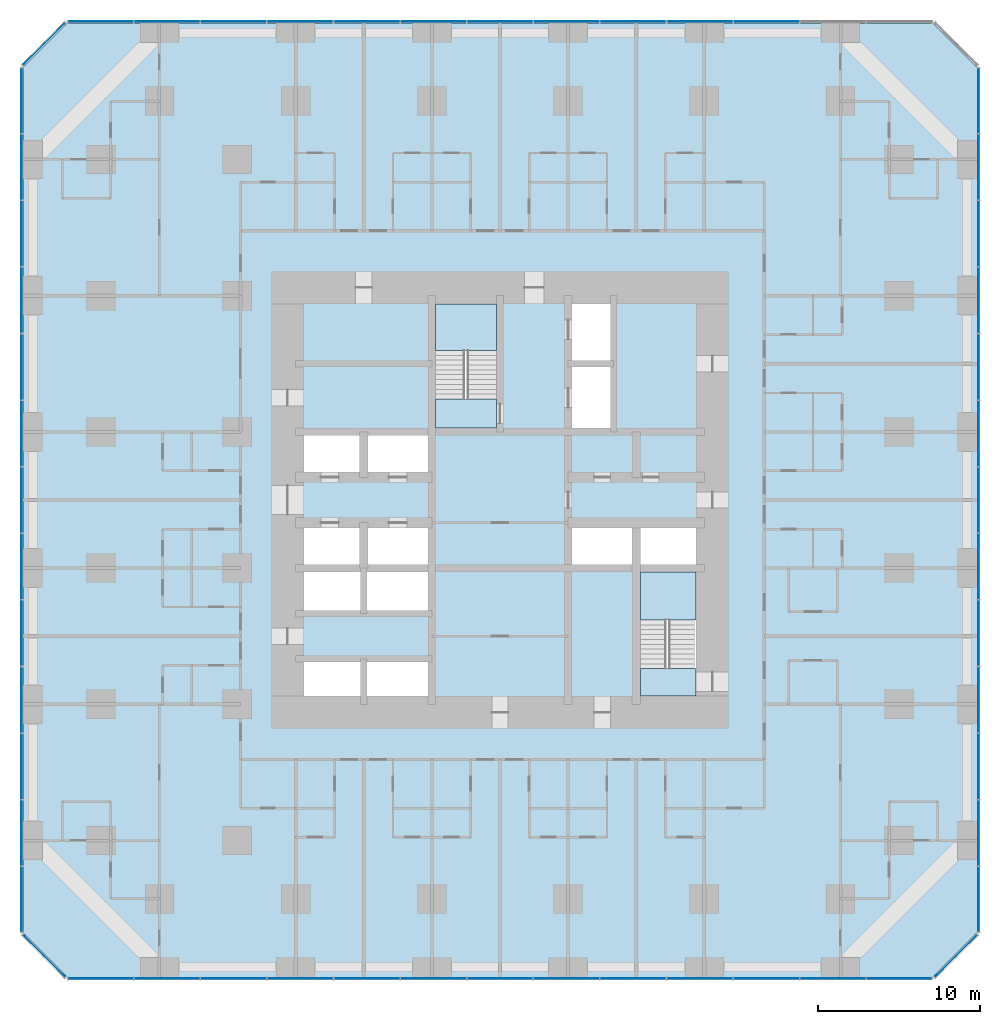
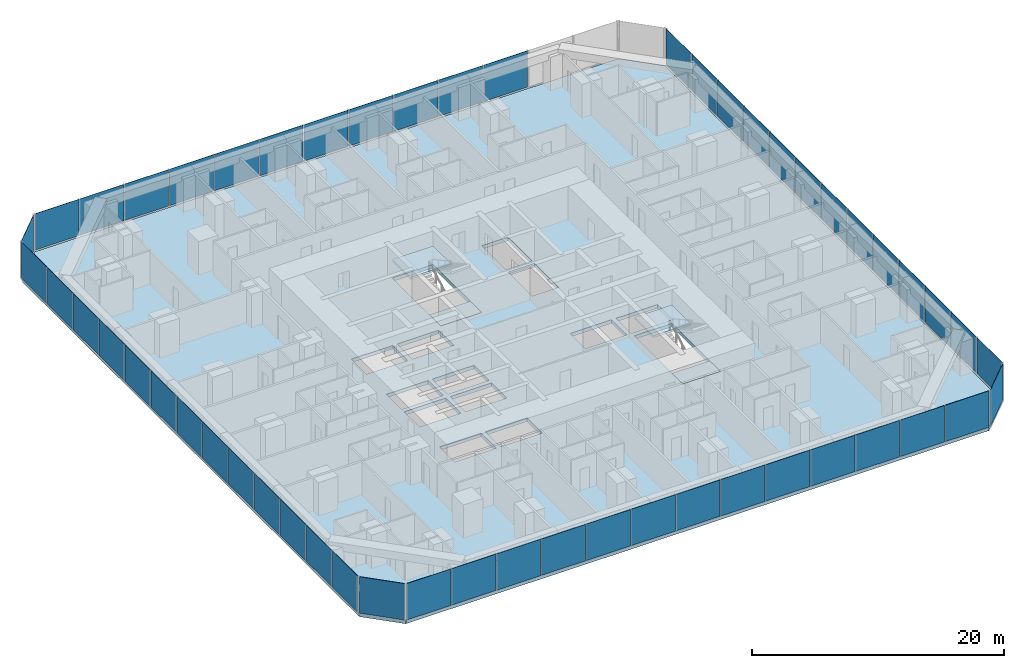
# One storey, part 9 of 18: 53 plates, 5 slabs, 9 elements without a shape of their own.
"""IFC4 building model written with IfcOpenShell, lengths in metres."""

from ifc_helpers import new_model, si_unit, direction, frame, origin, origin_2d, place, context, subcontext, project, spatial, polyline, rectangle, outline, extrude, material, layer, layer_set, type_object, element, aggregate, save


model = new_model("IFC4")

# Units and contexts
model_context = context("Model", 3, precision=1e-05, world=origin(), true_north=direction((0.0, 1.0)))
body_context = subcontext(model_context, "Body", "Model", "MODEL_VIEW")
ifc_project = project(units=[si_unit("LENGTHUNIT", "METRE"), si_unit("AREAUNIT", "SQUARE_METRE"), si_unit("VOLUMEUNIT", "CUBIC_METRE"), si_unit("PLANEANGLEUNIT", "RADIAN"), si_unit("MASSUNIT", "GRAM", prefix="KILO")], contexts=[model_context])

# Site, building, storey
site_placement = place(None, origin())
site = spatial("IfcSite", under=ifc_project, at=site_placement, CompositionType="ELEMENT")
building_placement = place(site_placement, origin())
building = spatial("IfcBuilding", under=site, at=building_placement, Name="Dunama Terrace Hotel", CompositionType="ELEMENT")
storey_placement = place(building_placement, frame((0.0, 0.0, 27.0)))
storey = spatial("IfcBuildingStorey", under=building, at=storey_placement, Name="L05", CompositionType="ELEMENT", Elevation=27.0)

# Curtain wall, plates
ifc_material_1 = material(Name="Aluminium curtain wall system", Category="aluminium")
curtain_wall_type = type_object("IfcCurtainWallType", Name="Unitised fritted glass wall CW-A", PredefinedType="NOTDEFINED", material=ifc_material_1)
curtain_wall_1_placement = place(storey_placement, origin())
curtain_wall_1 = element("IfcCurtainWall", 1, at=curtain_wall_1_placement, inside=storey, type_object=curtain_wall_type, Name="Unitised fritted glass wall CW-A L05", PredefinedType="NOTDEFINED")
ifc_material_2 = material(Name="Laminated glass", Category="glass")
ifc_layer_1 = layer(ifc_material_2, 0.030029296875)
ifc_layer_set_1 = layer_set([ifc_layer_1], Name="CWA clear glass panel")
plate_type_1 = type_object("IfcPlateType", Name="CWA clear glass panel", PredefinedType="CURTAIN_PANEL", material=ifc_layer_set_1)
plate_1_placement = place(storey_placement, frame((8.862060546875, -0.10009765625, 0.074951171875), z_axis=(0.0, 0.0, 1.0), x_axis=(1.0, 0.0, 0.0)))
plate_1 = element("IfcPlate", 2, at=plate_1_placement, type_object=plate_type_1, Name="CWA clear glass panel", PredefinedType="CURTAIN_PANEL", context=body_context, shape_type="SweptSolid", body=[
    extrude(rectangle(XDim=4.042724609375, YDim=0.030029296875, at=origin_2d()), origin(), (0.0, 0.0, 1.0), 3.52490234375),
])
plate_2_placement = place(storey_placement, frame((21.18505859375, -0.10009765625, 0.074951171875), z_axis=(0.0, 0.0, 1.0), x_axis=(1.0, 0.0, 0.0)))
plate_2 = element("IfcPlate", 3, at=plate_2_placement, type_object=plate_type_1, Name="CWA clear glass panel", PredefinedType="CURTAIN_PANEL", context=body_context, shape_type="SweptSolid", body=[
    extrude(rectangle(XDim=4.042724609375, YDim=0.030029296875, at=origin_2d()), origin(), (0.0, 0.0, 1.0), 3.52490234375),
])
plate_3_placement = place(storey_placement, frame((33.508056640625, -0.10009765625, 0.074951171875), z_axis=(0.0, 0.0, 1.0), x_axis=(1.0, 0.0, 0.0)))
plate_3 = element("IfcPlate", 4, at=plate_3_placement, type_object=plate_type_1, Name="CWA clear glass panel", PredefinedType="CURTAIN_PANEL", context=body_context, shape_type="SweptSolid", body=[
    extrude(rectangle(XDim=4.042724609375, YDim=0.030029296875, at=origin_2d()), origin(), (0.0, 0.0, 1.0), 3.52490234375),
])
plate_4_placement = place(storey_placement, frame((45.8310546875, -0.10009765625, 0.074951171875), z_axis=(0.0, 0.0, 1.0), x_axis=(1.0, 0.0, 0.0)))
plate_4 = element("IfcPlate", 5, at=plate_4_placement, type_object=plate_type_1, Name="CWA clear glass panel", PredefinedType="CURTAIN_PANEL", context=body_context, shape_type="SweptSolid", body=[
    extrude(rectangle(XDim=4.042724609375, YDim=0.030029296875, at=origin_2d()), origin(), (0.0, 0.0, 1.0), 3.52490234375),
])

# Curtain wall, plate
curtain_wall_2_placement = place(storey_placement, origin())
curtain_wall_2 = element("IfcCurtainWall", 6, at=curtain_wall_2_placement, inside=storey, type_object=curtain_wall_type, Name="Unitised fritted glass wall CW-A L05", PredefinedType="NOTDEFINED")
plate_5_placement = place(storey_placement, frame((57.52099609375, 1.279052734375, 0.074951171875), z_axis=(0.0, 0.0, 1.0), x_axis=(0.707106781187, 0.707106781187, 0.0)))
plate_5 = element("IfcPlate", 7, at=plate_5_placement, type_object=plate_type_1, Name="CWA clear glass panel", PredefinedType="CURTAIN_PANEL", context=body_context, shape_type="SweptSolid", body=[
    extrude(rectangle(XDim=3.6884765625, YDim=0.030029296875, at=origin_2d()), origin(), (0.0, 0.0, 1.0), 3.52490234375),
])
aggregate(curtain_wall_2, [plate_5])

# Curtain wall, plates
curtain_wall_3_placement = place(storey_placement, origin())
curtain_wall_3 = element("IfcCurtainWall", 8, at=curtain_wall_3_placement, inside=storey, type_object=curtain_wall_type, Name="Unitised fritted glass wall CW-A L05", PredefinedType="NOTDEFINED")
plate_6_placement = place(storey_placement, frame((58.89990234375, 12.968994140625, 0.074951171875), z_axis=(0.0, 0.0, 1.0), x_axis=(0.0, 1.0, 0.0)))
plate_6 = element("IfcPlate", 9, at=plate_6_placement, type_object=plate_type_1, Name="CWA clear glass panel", PredefinedType="CURTAIN_PANEL", context=body_context, shape_type="SweptSolid", body=[
    extrude(rectangle(XDim=4.042724609375, YDim=0.030029296875, at=origin_2d()), origin(), (0.0, 0.0, 1.0), 3.52490234375),
])
plate_7_placement = place(storey_placement, frame((58.89990234375, 25.2919921875, 0.074951171875), z_axis=(0.0, 0.0, 1.0), x_axis=(0.0, 1.0, 0.0)))
plate_7 = element("IfcPlate", 10, at=plate_7_placement, type_object=plate_type_1, Name="CWA clear glass panel", PredefinedType="CURTAIN_PANEL", context=body_context, shape_type="SweptSolid", body=[
    extrude(rectangle(XDim=4.042724609375, YDim=0.030029296875, at=origin_2d()), origin(), (0.0, 0.0, 1.0), 3.52490234375),
])
plate_8_placement = place(storey_placement, frame((58.89990234375, 37.614990234375, 0.074951171875), z_axis=(0.0, 0.0, 1.0), x_axis=(0.0, 1.0, 0.0)))
plate_8 = element("IfcPlate", 11, at=plate_8_placement, type_object=plate_type_1, Name="CWA clear glass panel", PredefinedType="CURTAIN_PANEL", context=body_context, shape_type="SweptSolid", body=[
    extrude(rectangle(XDim=4.042724609375, YDim=0.030029296875, at=origin_2d()), origin(), (0.0, 0.0, 1.0), 3.52490234375),
])
plate_9_placement = place(storey_placement, frame((58.89990234375, 49.93798828125, 0.074951171875), z_axis=(0.0, 0.0, 1.0), x_axis=(0.0, 1.0, 0.0)))
plate_9 = element("IfcPlate", 12, at=plate_9_placement, type_object=plate_type_1, Name="CWA clear glass panel", PredefinedType="CURTAIN_PANEL", context=body_context, shape_type="SweptSolid", body=[
    extrude(rectangle(XDim=4.042724609375, YDim=0.030029296875, at=origin_2d()), origin(), (0.0, 0.0, 1.0), 3.52490234375),
])

curtain_wall_4_placement = place(storey_placement, origin())
curtain_wall_4 = element("IfcCurtainWall", 13, at=curtain_wall_4_placement, inside=storey, type_object=curtain_wall_type, Name="Unitised fritted glass wall CW-A L05", PredefinedType="NOTDEFINED")
plate_10_placement = place(storey_placement, frame((41.722900390625, 58.89990234375, 0.074951171875), z_axis=(0.0, 0.0, 1.0), x_axis=(-1.0, 0.0, 0.0)))
plate_10 = element("IfcPlate", 14, at=plate_10_placement, type_object=plate_type_1, Name="CWA clear glass panel", PredefinedType="CURTAIN_PANEL", context=body_context, shape_type="SweptSolid", body=[
    extrude(rectangle(XDim=4.042724609375, YDim=0.030029296875, at=origin_2d()), origin(), (0.0, 0.0, 1.0), 3.52490234375),
])
plate_11_placement = place(storey_placement, frame((29.39990234375, 58.89990234375, 0.074951171875), z_axis=(0.0, 0.0, 1.0), x_axis=(-1.0, 0.0, 0.0)))
plate_11 = element("IfcPlate", 15, at=plate_11_placement, type_object=plate_type_1, Name="CWA clear glass panel", PredefinedType="CURTAIN_PANEL", context=body_context, shape_type="SweptSolid", body=[
    extrude(rectangle(XDim=4.042724609375, YDim=0.030029296875, at=origin_2d()), origin(), (0.0, 0.0, 1.0), 3.52490234375),
])
plate_12_placement = place(storey_placement, frame((17.076904296875, 58.89990234375, 0.074951171875), z_axis=(0.0, 0.0, 1.0), x_axis=(-1.0, 0.0, 0.0)))
plate_12 = element("IfcPlate", 16, at=plate_12_placement, type_object=plate_type_1, Name="CWA clear glass panel", PredefinedType="CURTAIN_PANEL", context=body_context, shape_type="SweptSolid", body=[
    extrude(rectangle(XDim=4.042724609375, YDim=0.030029296875, at=origin_2d()), origin(), (0.0, 0.0, 1.0), 3.52490234375),
])
plate_13_placement = place(storey_placement, frame((4.77001953125, 58.89990234375, 0.074951171875), z_axis=(0.0, 0.0, 1.0), x_axis=(-1.0, 0.0, 0.0)))
plate_13 = element("IfcPlate", 17, at=plate_13_placement, type_object=plate_type_1, Name="CWA clear glass panel", PredefinedType="CURTAIN_PANEL", context=body_context, shape_type="SweptSolid", body=[
    extrude(rectangle(XDim=4.01025390625, YDim=0.030029296875, at=origin_2d()), origin(), (0.0, 0.0, 1.0), 3.52490234375),
])

curtain_wall_5_placement = place(storey_placement, origin())
curtain_wall_5 = element("IfcCurtainWall", 18, at=curtain_wall_5_placement, inside=storey, type_object=curtain_wall_type, Name="Unitised fritted glass wall CW-A L05", PredefinedType="NOTDEFINED")
plate_14_placement = place(storey_placement, frame((-0.10009765625, 49.93798828125, 0.074951171875), z_axis=(0.0, 0.0, 1.0), x_axis=(0.0, -1.0, 0.0)))
plate_14 = element("IfcPlate", 19, at=plate_14_placement, type_object=plate_type_1, Name="CWA clear glass panel", PredefinedType="CURTAIN_PANEL", context=body_context, shape_type="SweptSolid", body=[
    extrude(rectangle(XDim=4.042724609375, YDim=0.030029296875, at=origin_2d()), origin(), (0.0, 0.0, 1.0), 3.52490234375),
])
plate_15_placement = place(storey_placement, frame((-0.10009765625, 37.614990234375, 0.074951171875), z_axis=(0.0, 0.0, 1.0), x_axis=(0.0, -1.0, 0.0)))
plate_15 = element("IfcPlate", 20, at=plate_15_placement, type_object=plate_type_1, Name="CWA clear glass panel", PredefinedType="CURTAIN_PANEL", context=body_context, shape_type="SweptSolid", body=[
    extrude(rectangle(XDim=4.042724609375, YDim=0.030029296875, at=origin_2d()), origin(), (0.0, 0.0, 1.0), 3.52490234375),
])
plate_16_placement = place(storey_placement, frame((-0.10009765625, 25.2919921875, 0.074951171875), z_axis=(0.0, 0.0, 1.0), x_axis=(0.0, -1.0, 0.0)))
plate_16 = element("IfcPlate", 21, at=plate_16_placement, type_object=plate_type_1, Name="CWA clear glass panel", PredefinedType="CURTAIN_PANEL", context=body_context, shape_type="SweptSolid", body=[
    extrude(rectangle(XDim=4.042724609375, YDim=0.030029296875, at=origin_2d()), origin(), (0.0, 0.0, 1.0), 3.52490234375),
])
plate_17_placement = place(storey_placement, frame((-0.10009765625, 12.968994140625, 0.074951171875), z_axis=(0.0, 0.0, 1.0), x_axis=(0.0, -1.0, 0.0)))
plate_17 = element("IfcPlate", 22, at=plate_17_placement, type_object=plate_type_1, Name="CWA clear glass panel", PredefinedType="CURTAIN_PANEL", context=body_context, shape_type="SweptSolid", body=[
    extrude(rectangle(XDim=4.042724609375, YDim=0.030029296875, at=origin_2d()), origin(), (0.0, 0.0, 1.0), 3.52490234375),
])

# Curtain wall, plate
curtain_wall_6_placement = place(storey_placement, origin())
curtain_wall_6 = element("IfcCurtainWall", 23, at=curtain_wall_6_placement, inside=storey, type_object=curtain_wall_type, Name="Unitised fritted glass wall CW-A L05", PredefinedType="NOTDEFINED")
plate_18_placement = place(storey_placement, frame((1.279052734375, 1.279052734375, 0.074951171875), z_axis=(0.0, 0.0, 1.0), x_axis=(0.707106781187, -0.707106781187, 0.0)))
plate_18 = element("IfcPlate", 24, at=plate_18_placement, type_object=plate_type_1, Name="CWA clear glass panel", PredefinedType="CURTAIN_PANEL", context=body_context, shape_type="SweptSolid", body=[
    extrude(rectangle(XDim=3.6884765625, YDim=0.030029296875, at=origin_2d()), origin(), (0.0, 0.0, 1.0), 3.52490234375),
])
aggregate(curtain_wall_6, [plate_18])

# Plate
ifc_material_3 = material(Name="Fritted laminated glass", Category="glass")
ifc_layer_2 = layer(ifc_material_3, 0.030029296875)
ifc_layer_set_2 = layer_set([ifc_layer_2], Name="CWA fritted glass panel")
plate_type_2 = type_object("IfcPlateType", Name="CWA fritted glass panel", PredefinedType="CURTAIN_PANEL", material=ifc_layer_set_2)
plate_19_placement = place(storey_placement, frame((4.77001953125, -0.10009765625, 0.074951171875), z_axis=(0.0, 0.0, 1.0), x_axis=(1.0, 0.0, 0.0)))
plate_19 = element("IfcPlate", 25, at=plate_19_placement, type_object=plate_type_2, Name="CWA fritted glass panel", PredefinedType="CURTAIN_PANEL", context=body_context, shape_type="SweptSolid", body=[
    extrude(rectangle(XDim=4.01025390625, YDim=0.030029296875, at=origin_2d()), origin(), (0.0, 0.0, 1.0), 3.52490234375),
])

plate_20_placement = place(storey_placement, frame((17.076904296875, -0.10009765625, 0.074951171875), z_axis=(0.0, 0.0, 1.0), x_axis=(1.0, 0.0, 0.0)))
plate_20 = element("IfcPlate", 26, at=plate_20_placement, type_object=plate_type_2, Name="CWA fritted glass panel", PredefinedType="CURTAIN_PANEL", context=body_context, shape_type="SweptSolid", body=[
    extrude(rectangle(XDim=4.042724609375, YDim=0.030029296875, at=origin_2d()), origin(), (0.0, 0.0, 1.0), 3.52490234375),
])

plate_21_placement = place(storey_placement, frame((29.39990234375, -0.10009765625, 0.074951171875), z_axis=(0.0, 0.0, 1.0), x_axis=(1.0, 0.0, 0.0)))
plate_21 = element("IfcPlate", 27, at=plate_21_placement, type_object=plate_type_2, Name="CWA fritted glass panel", PredefinedType="CURTAIN_PANEL", context=body_context, shape_type="SweptSolid", body=[
    extrude(rectangle(XDim=4.042724609375, YDim=0.030029296875, at=origin_2d()), origin(), (0.0, 0.0, 1.0), 3.52490234375),
])

plate_22_placement = place(storey_placement, frame((41.722900390625, -0.10009765625, 0.074951171875), z_axis=(0.0, 0.0, 1.0), x_axis=(1.0, 0.0, 0.0)))
plate_22 = element("IfcPlate", 28, at=plate_22_placement, type_object=plate_type_2, Name="CWA fritted glass panel", PredefinedType="CURTAIN_PANEL", context=body_context, shape_type="SweptSolid", body=[
    extrude(rectangle(XDim=4.042724609375, YDim=0.030029296875, at=origin_2d()), origin(), (0.0, 0.0, 1.0), 3.52490234375),
])

plate_23_placement = place(storey_placement, frame((54.030029296875, -0.10009765625, 0.074951171875), z_axis=(0.0, 0.0, 1.0), x_axis=(1.0, 0.0, 0.0)))
plate_23 = element("IfcPlate", 29, at=plate_23_placement, type_object=plate_type_2, Name="CWA fritted glass panel", PredefinedType="CURTAIN_PANEL", context=body_context, shape_type="SweptSolid", body=[
    extrude(rectangle(XDim=4.01025390625, YDim=0.030029296875, at=origin_2d()), origin(), (0.0, 0.0, 1.0), 3.52490234375),
])

plate_24_placement = place(storey_placement, frame((58.89990234375, 8.862060546875, 0.074951171875), z_axis=(0.0, 0.0, 1.0), x_axis=(0.0, 1.0, 0.0)))
plate_24 = element("IfcPlate", 30, at=plate_24_placement, type_object=plate_type_2, Name="CWA fritted glass panel", PredefinedType="CURTAIN_PANEL", context=body_context, shape_type="SweptSolid", body=[
    extrude(rectangle(XDim=4.042724609375, YDim=0.030029296875, at=origin_2d()), origin(), (0.0, 0.0, 1.0), 3.52490234375),
])

plate_25_placement = place(storey_placement, frame((58.89990234375, 21.18505859375, 0.074951171875), z_axis=(0.0, 0.0, 1.0), x_axis=(0.0, 1.0, 0.0)))
plate_25 = element("IfcPlate", 31, at=plate_25_placement, type_object=plate_type_2, Name="CWA fritted glass panel", PredefinedType="CURTAIN_PANEL", context=body_context, shape_type="SweptSolid", body=[
    extrude(rectangle(XDim=4.042724609375, YDim=0.030029296875, at=origin_2d()), origin(), (0.0, 0.0, 1.0), 3.52490234375),
])

plate_26_placement = place(storey_placement, frame((58.89990234375, 33.508056640625, 0.074951171875), z_axis=(0.0, 0.0, 1.0), x_axis=(0.0, 1.0, 0.0)))
plate_26 = element("IfcPlate", 32, at=plate_26_placement, type_object=plate_type_2, Name="CWA fritted glass panel", PredefinedType="CURTAIN_PANEL", context=body_context, shape_type="SweptSolid", body=[
    extrude(rectangle(XDim=4.042724609375, YDim=0.030029296875, at=origin_2d()), origin(), (0.0, 0.0, 1.0), 3.52490234375),
])

plate_27_placement = place(storey_placement, frame((58.89990234375, 45.8310546875, 0.074951171875), z_axis=(0.0, 0.0, 1.0), x_axis=(0.0, 1.0, 0.0)))
plate_27 = element("IfcPlate", 33, at=plate_27_placement, type_object=plate_type_2, Name="CWA fritted glass panel", PredefinedType="CURTAIN_PANEL", context=body_context, shape_type="SweptSolid", body=[
    extrude(rectangle(XDim=4.042724609375, YDim=0.030029296875, at=origin_2d()), origin(), (0.0, 0.0, 1.0), 3.52490234375),
])

plate_28_placement = place(storey_placement, frame((45.8310546875, 58.89990234375, 0.074951171875), z_axis=(0.0, 0.0, 1.0), x_axis=(-1.0, 0.0, 0.0)))
plate_28 = element("IfcPlate", 34, at=plate_28_placement, type_object=plate_type_2, Name="CWA fritted glass panel", PredefinedType="CURTAIN_PANEL", context=body_context, shape_type="SweptSolid", body=[
    extrude(rectangle(XDim=4.042724609375, YDim=0.030029296875, at=origin_2d()), origin(), (0.0, 0.0, 1.0), 3.52490234375),
])

plate_29_placement = place(storey_placement, frame((33.508056640625, 58.89990234375, 0.074951171875), z_axis=(0.0, 0.0, 1.0), x_axis=(-1.0, 0.0, 0.0)))
plate_29 = element("IfcPlate", 35, at=plate_29_placement, type_object=plate_type_2, Name="CWA fritted glass panel", PredefinedType="CURTAIN_PANEL", context=body_context, shape_type="SweptSolid", body=[
    extrude(rectangle(XDim=4.042724609375, YDim=0.030029296875, at=origin_2d()), origin(), (0.0, 0.0, 1.0), 3.52490234375),
])

plate_30_placement = place(storey_placement, frame((21.18505859375, 58.89990234375, 0.074951171875), z_axis=(0.0, 0.0, 1.0), x_axis=(-1.0, 0.0, 0.0)))
plate_30 = element("IfcPlate", 36, at=plate_30_placement, type_object=plate_type_2, Name="CWA fritted glass panel", PredefinedType="CURTAIN_PANEL", context=body_context, shape_type="SweptSolid", body=[
    extrude(rectangle(XDim=4.042724609375, YDim=0.030029296875, at=origin_2d()), origin(), (0.0, 0.0, 1.0), 3.52490234375),
])

plate_31_placement = place(storey_placement, frame((8.862060546875, 58.89990234375, 0.074951171875), z_axis=(0.0, 0.0, 1.0), x_axis=(-1.0, 0.0, 0.0)))
plate_31 = element("IfcPlate", 37, at=plate_31_placement, type_object=plate_type_2, Name="CWA fritted glass panel", PredefinedType="CURTAIN_PANEL", context=body_context, shape_type="SweptSolid", body=[
    extrude(rectangle(XDim=4.042724609375, YDim=0.030029296875, at=origin_2d()), origin(), (0.0, 0.0, 1.0), 3.52490234375),
])

plate_32_placement = place(storey_placement, frame((-0.10009765625, 54.030029296875, 0.074951171875), z_axis=(0.0, 0.0, 1.0), x_axis=(0.0, -1.0, 0.0)))
plate_32 = element("IfcPlate", 38, at=plate_32_placement, type_object=plate_type_2, Name="CWA fritted glass panel", PredefinedType="CURTAIN_PANEL", context=body_context, shape_type="SweptSolid", body=[
    extrude(rectangle(XDim=4.01025390625, YDim=0.030029296875, at=origin_2d()), origin(), (0.0, 0.0, 1.0), 3.52490234375),
])

plate_33_placement = place(storey_placement, frame((-0.10009765625, 41.722900390625, 0.074951171875), z_axis=(0.0, 0.0, 1.0), x_axis=(0.0, -1.0, 0.0)))
plate_33 = element("IfcPlate", 39, at=plate_33_placement, type_object=plate_type_2, Name="CWA fritted glass panel", PredefinedType="CURTAIN_PANEL", context=body_context, shape_type="SweptSolid", body=[
    extrude(rectangle(XDim=4.042724609375, YDim=0.030029296875, at=origin_2d()), origin(), (0.0, 0.0, 1.0), 3.52490234375),
])

plate_34_placement = place(storey_placement, frame((-0.10009765625, 29.39990234375, 0.074951171875), z_axis=(0.0, 0.0, 1.0), x_axis=(0.0, -1.0, 0.0)))
plate_34 = element("IfcPlate", 40, at=plate_34_placement, type_object=plate_type_2, Name="CWA fritted glass panel", PredefinedType="CURTAIN_PANEL", context=body_context, shape_type="SweptSolid", body=[
    extrude(rectangle(XDim=4.042724609375, YDim=0.030029296875, at=origin_2d()), origin(), (0.0, 0.0, 1.0), 3.52490234375),
])

plate_35_placement = place(storey_placement, frame((-0.10009765625, 17.076904296875, 0.074951171875), z_axis=(0.0, 0.0, 1.0), x_axis=(0.0, -1.0, 0.0)))
plate_35 = element("IfcPlate", 41, at=plate_35_placement, type_object=plate_type_2, Name="CWA fritted glass panel", PredefinedType="CURTAIN_PANEL", context=body_context, shape_type="SweptSolid", body=[
    extrude(rectangle(XDim=4.042724609375, YDim=0.030029296875, at=origin_2d()), origin(), (0.0, 0.0, 1.0), 3.52490234375),
])

plate_36_placement = place(storey_placement, frame((-0.10009765625, 4.77001953125, 0.074951171875), z_axis=(0.0, 0.0, 1.0), x_axis=(0.0, -1.0, 0.0)))
plate_36 = element("IfcPlate", 42, at=plate_36_placement, type_object=plate_type_2, Name="CWA fritted glass panel", PredefinedType="CURTAIN_PANEL", context=body_context, shape_type="SweptSolid", body=[
    extrude(rectangle(XDim=4.01025390625, YDim=0.030029296875, at=origin_2d()), origin(), (0.0, 0.0, 1.0), 3.52490234375),
])

ifc_material_4 = material(Name="Laminated glass", Category="glass")
ifc_layer_3 = layer(ifc_material_4, 0.030029296875)
ifc_layer_set_3 = layer_set([ifc_layer_3], Name="CWA operable glass panel")
plate_type_3 = type_object("IfcPlateType", Name="CWA operable glass panel", PredefinedType="CURTAIN_PANEL", material=ifc_layer_set_3)
plate_37_placement = place(storey_placement, frame((12.968994140625, -0.10009765625, 0.074951171875), z_axis=(0.0, 0.0, 1.0), x_axis=(1.0, 0.0, 0.0)))
plate_37 = element("IfcPlate", 43, at=plate_37_placement, type_object=plate_type_3, Name="CWA operable glass panel", PredefinedType="CURTAIN_PANEL", context=body_context, shape_type="SweptSolid", body=[
    extrude(rectangle(XDim=4.042724609375, YDim=0.030029296875, at=origin_2d()), origin(), (0.0, 0.0, 1.0), 3.52490234375),
])

plate_38_placement = place(storey_placement, frame((25.2919921875, -0.10009765625, 0.074951171875), z_axis=(0.0, 0.0, 1.0), x_axis=(1.0, 0.0, 0.0)))
plate_38 = element("IfcPlate", 44, at=plate_38_placement, type_object=plate_type_3, Name="CWA operable glass panel", PredefinedType="CURTAIN_PANEL", context=body_context, shape_type="SweptSolid", body=[
    extrude(rectangle(XDim=4.042724609375, YDim=0.030029296875, at=origin_2d()), origin(), (0.0, 0.0, 1.0), 3.52490234375),
])

plate_39_placement = place(storey_placement, frame((37.614990234375, -0.10009765625, 0.074951171875), z_axis=(0.0, 0.0, 1.0), x_axis=(1.0, 0.0, 0.0)))
plate_39 = element("IfcPlate", 45, at=plate_39_placement, type_object=plate_type_3, Name="CWA operable glass panel", PredefinedType="CURTAIN_PANEL", context=body_context, shape_type="SweptSolid", body=[
    extrude(rectangle(XDim=4.042724609375, YDim=0.030029296875, at=origin_2d()), origin(), (0.0, 0.0, 1.0), 3.52490234375),
])

plate_40_placement = place(storey_placement, frame((49.93798828125, -0.10009765625, 0.074951171875), z_axis=(0.0, 0.0, 1.0), x_axis=(1.0, 0.0, 0.0)))
plate_40 = element("IfcPlate", 46, at=plate_40_placement, type_object=plate_type_3, Name="CWA operable glass panel", PredefinedType="CURTAIN_PANEL", context=body_context, shape_type="SweptSolid", body=[
    extrude(rectangle(XDim=4.042724609375, YDim=0.030029296875, at=origin_2d()), origin(), (0.0, 0.0, 1.0), 3.52490234375),
])

aggregate(curtain_wall_1, [plate_19, plate_1, plate_37, plate_20, plate_2, plate_38, plate_21, plate_3, plate_39, plate_22, plate_4, plate_40, plate_23])

plate_41_placement = place(storey_placement, frame((58.89990234375, 4.77001953125, 0.074951171875), z_axis=(0.0, 0.0, 1.0), x_axis=(0.0, 1.0, 0.0)))
plate_41 = element("IfcPlate", 47, at=plate_41_placement, type_object=plate_type_3, Name="CWA operable glass panel", PredefinedType="CURTAIN_PANEL", context=body_context, shape_type="SweptSolid", body=[
    extrude(rectangle(XDim=4.01025390625, YDim=0.030029296875, at=origin_2d()), origin(), (0.0, 0.0, 1.0), 3.52490234375),
])

plate_42_placement = place(storey_placement, frame((58.89990234375, 17.076904296875, 0.074951171875), z_axis=(0.0, 0.0, 1.0), x_axis=(0.0, 1.0, 0.0)))
plate_42 = element("IfcPlate", 48, at=plate_42_placement, type_object=plate_type_3, Name="CWA operable glass panel", PredefinedType="CURTAIN_PANEL", context=body_context, shape_type="SweptSolid", body=[
    extrude(rectangle(XDim=4.042724609375, YDim=0.030029296875, at=origin_2d()), origin(), (0.0, 0.0, 1.0), 3.52490234375),
])

plate_43_placement = place(storey_placement, frame((58.89990234375, 29.39990234375, 0.074951171875), z_axis=(0.0, 0.0, 1.0), x_axis=(0.0, 1.0, 0.0)))
plate_43 = element("IfcPlate", 49, at=plate_43_placement, type_object=plate_type_3, Name="CWA operable glass panel", PredefinedType="CURTAIN_PANEL", context=body_context, shape_type="SweptSolid", body=[
    extrude(rectangle(XDim=4.042724609375, YDim=0.030029296875, at=origin_2d()), origin(), (0.0, 0.0, 1.0), 3.52490234375),
])

plate_44_placement = place(storey_placement, frame((58.89990234375, 41.722900390625, 0.074951171875), z_axis=(0.0, 0.0, 1.0), x_axis=(0.0, 1.0, 0.0)))
plate_44 = element("IfcPlate", 50, at=plate_44_placement, type_object=plate_type_3, Name="CWA operable glass panel", PredefinedType="CURTAIN_PANEL", context=body_context, shape_type="SweptSolid", body=[
    extrude(rectangle(XDim=4.042724609375, YDim=0.030029296875, at=origin_2d()), origin(), (0.0, 0.0, 1.0), 3.52490234375),
])

plate_45_placement = place(storey_placement, frame((58.89990234375, 54.030029296875, 0.074951171875), z_axis=(0.0, 0.0, 1.0), x_axis=(0.0, 1.0, 0.0)))
plate_45 = element("IfcPlate", 51, at=plate_45_placement, type_object=plate_type_3, Name="CWA operable glass panel", PredefinedType="CURTAIN_PANEL", context=body_context, shape_type="SweptSolid", body=[
    extrude(rectangle(XDim=4.01025390625, YDim=0.030029296875, at=origin_2d()), origin(), (0.0, 0.0, 1.0), 3.52490234375),
])

aggregate(curtain_wall_3, [plate_41, plate_24, plate_6, plate_42, plate_25, plate_7, plate_43, plate_26, plate_8, plate_44, plate_27, plate_9, plate_45])

plate_46_placement = place(storey_placement, frame((37.614990234375, 58.89990234375, 0.074951171875), z_axis=(0.0, 0.0, 1.0), x_axis=(-1.0, 0.0, 0.0)))
plate_46 = element("IfcPlate", 52, at=plate_46_placement, type_object=plate_type_3, Name="CWA operable glass panel", PredefinedType="CURTAIN_PANEL", context=body_context, shape_type="SweptSolid", body=[
    extrude(rectangle(XDim=4.042724609375, YDim=0.030029296875, at=origin_2d()), origin(), (0.0, 0.0, 1.0), 3.52490234375),
])

plate_47_placement = place(storey_placement, frame((25.2919921875, 58.89990234375, 0.074951171875), z_axis=(0.0, 0.0, 1.0), x_axis=(-1.0, 0.0, 0.0)))
plate_47 = element("IfcPlate", 53, at=plate_47_placement, type_object=plate_type_3, Name="CWA operable glass panel", PredefinedType="CURTAIN_PANEL", context=body_context, shape_type="SweptSolid", body=[
    extrude(rectangle(XDim=4.042724609375, YDim=0.030029296875, at=origin_2d()), origin(), (0.0, 0.0, 1.0), 3.52490234375),
])

plate_48_placement = place(storey_placement, frame((12.968994140625, 58.89990234375, 0.074951171875), z_axis=(0.0, 0.0, 1.0), x_axis=(-1.0, 0.0, 0.0)))
plate_48 = element("IfcPlate", 54, at=plate_48_placement, type_object=plate_type_3, Name="CWA operable glass panel", PredefinedType="CURTAIN_PANEL", context=body_context, shape_type="SweptSolid", body=[
    extrude(rectangle(XDim=4.042724609375, YDim=0.030029296875, at=origin_2d()), origin(), (0.0, 0.0, 1.0), 3.52490234375),
])

aggregate(curtain_wall_4, [plate_28, plate_10, plate_46, plate_29, plate_11, plate_47, plate_30, plate_12, plate_48, plate_31, plate_13])

# Curtain wall, plate
curtain_wall_7_placement = place(storey_placement, origin())
curtain_wall_7 = element("IfcCurtainWall", 55, at=curtain_wall_7_placement, inside=storey, type_object=curtain_wall_type, Name="Unitised fritted glass wall CW-A L05", PredefinedType="NOTDEFINED")
plate_49_placement = place(storey_placement, frame((1.279052734375, 57.52099609375, 0.074951171875), z_axis=(0.0, 0.0, 1.0), x_axis=(-0.707106781187, -0.707106781187, 0.0)))
plate_49 = element("IfcPlate", 56, at=plate_49_placement, type_object=plate_type_3, Name="CWA operable glass panel", PredefinedType="CURTAIN_PANEL", context=body_context, shape_type="SweptSolid", body=[
    extrude(rectangle(XDim=3.6884765625, YDim=0.030029296875, at=origin_2d()), origin(), (0.0, 0.0, 1.0), 3.52490234375),
])
aggregate(curtain_wall_7, [plate_49])

# Plate
plate_50_placement = place(storey_placement, frame((-0.10009765625, 45.8310546875, 0.074951171875), z_axis=(0.0, 0.0, 1.0), x_axis=(0.0, -1.0, 0.0)))
plate_50 = element("IfcPlate", 57, at=plate_50_placement, type_object=plate_type_3, Name="CWA operable glass panel", PredefinedType="CURTAIN_PANEL", context=body_context, shape_type="SweptSolid", body=[
    extrude(rectangle(XDim=4.042724609375, YDim=0.030029296875, at=origin_2d()), origin(), (0.0, 0.0, 1.0), 3.52490234375),
])

plate_51_placement = place(storey_placement, frame((-0.10009765625, 33.508056640625, 0.074951171875), z_axis=(0.0, 0.0, 1.0), x_axis=(0.0, -1.0, 0.0)))
plate_51 = element("IfcPlate", 58, at=plate_51_placement, type_object=plate_type_3, Name="CWA operable glass panel", PredefinedType="CURTAIN_PANEL", context=body_context, shape_type="SweptSolid", body=[
    extrude(rectangle(XDim=4.042724609375, YDim=0.030029296875, at=origin_2d()), origin(), (0.0, 0.0, 1.0), 3.52490234375),
])

plate_52_placement = place(storey_placement, frame((-0.10009765625, 21.18505859375, 0.074951171875), z_axis=(0.0, 0.0, 1.0), x_axis=(0.0, -1.0, 0.0)))
plate_52 = element("IfcPlate", 59, at=plate_52_placement, type_object=plate_type_3, Name="CWA operable glass panel", PredefinedType="CURTAIN_PANEL", context=body_context, shape_type="SweptSolid", body=[
    extrude(rectangle(XDim=4.042724609375, YDim=0.030029296875, at=origin_2d()), origin(), (0.0, 0.0, 1.0), 3.52490234375),
])

plate_53_placement = place(storey_placement, frame((-0.10009765625, 8.862060546875, 0.074951171875), z_axis=(0.0, 0.0, 1.0), x_axis=(0.0, -1.0, 0.0)))
plate_53 = element("IfcPlate", 60, at=plate_53_placement, type_object=plate_type_3, Name="CWA operable glass panel", PredefinedType="CURTAIN_PANEL", context=body_context, shape_type="SweptSolid", body=[
    extrude(rectangle(XDim=4.042724609375, YDim=0.030029296875, at=origin_2d()), origin(), (0.0, 0.0, 1.0), 3.52490234375),
])

aggregate(curtain_wall_5, [plate_32, plate_14, plate_50, plate_33, plate_15, plate_51, plate_34, plate_16, plate_52, plate_35, plate_17, plate_53, plate_36])

# Slab
ifc_material_5 = material(Name="Concrete C40/50", Category="concrete")
ifc_layer_4 = layer(ifc_material_5, 0.35009765625)
ifc_layer_set_4 = layer_set([ifc_layer_4], Name="Flat plate 350")
slab_type_1 = type_object("IfcSlabType", Name="Flat plate 350", PredefinedType="FLOOR", material=ifc_layer_set_4)
slab_1_placement = place(storey_placement, frame((0.0, 0.0, -0.35009765625)))
element("IfcSlab", 61, at=slab_1_placement, inside=storey, type_object=slab_type_1, Name="Floor slab L05", PredefinedType="FLOOR", context=body_context, shape_type="SweptSolid", body=[
    extrude(outline(polyline([(2.699951171875, 0.0), (56.10009765625, 0.0), (58.800048828125, 2.699951171875), (58.800048828125, 56.10009765625), (56.10009765625, 58.800048828125), (2.699951171875, 58.800048828125), (0.0, 56.10009765625), (0.0, 2.699951171875), (2.699951171875, 0.0)]), holes=[polyline([(20.800048828125, 25.39990234375), (20.800048828125, 27.800048828125), (17.0, 27.800048828125), (17.0, 25.39990234375), (20.800048828125, 25.39990234375)]), polyline([(25.0, 25.39990234375), (25.0, 27.800048828125), (21.199951171875, 27.800048828125), (21.199951171875, 25.39990234375), (25.0, 25.39990234375)]), polyline([(20.800048828125, 31.0), (20.800048828125, 33.39990234375), (17.0, 33.39990234375), (17.0, 31.0), (20.800048828125, 31.0)]), polyline([(25.0, 31.0), (25.0, 33.39990234375), (21.199951171875, 33.39990234375), (21.199951171875, 31.0), (25.0, 31.0)]), polyline([(37.60009765625, 25.39990234375), (37.60009765625, 27.800048828125), (33.800048828125, 27.800048828125), (33.800048828125, 25.39990234375), (37.60009765625, 25.39990234375)]), polyline([(41.800048828125, 25.39990234375), (41.800048828125, 27.800048828125), (38.0, 27.800048828125), (38.0, 25.39990234375), (41.800048828125, 25.39990234375)]), polyline([(20.800048828125, 17.0), (20.800048828125, 19.39990234375), (17.0, 19.39990234375), (17.0, 17.0), (20.800048828125, 17.0)]), polyline([(25.0, 17.0), (25.0, 19.39990234375), (21.199951171875, 19.39990234375), (21.199951171875, 17.0), (25.0, 17.0)]), polyline([(20.800048828125, 22.60009765625), (20.800048828125, 25.0), (17.0, 25.0), (17.0, 22.60009765625), (20.800048828125, 22.60009765625)]), polyline([(25.0, 22.60009765625), (25.0, 25.0), (21.199951171875, 25.0), (21.199951171875, 22.60009765625), (25.0, 22.60009765625)]), polyline([(36.199951171875, 38.0), (36.199951171875, 41.800048828125), (33.800048828125, 41.800048828125), (33.800048828125, 38.0), (36.199951171875, 38.0)]), polyline([(36.199951171875, 33.800048828125), (36.199951171875, 37.60009765625), (33.800048828125, 37.60009765625), (33.800048828125, 33.800048828125), (36.199951171875, 33.800048828125)]), polyline([(29.175048828125, 33.824951171875), (29.175048828125, 41.5), (25.425048828125, 41.5), (25.425048828125, 33.824951171875), (29.175048828125, 33.824951171875)]), polyline([(41.5, 17.300048828125), (41.5, 24.97509765625), (38.050048828125, 24.97509765625), (38.050048828125, 17.300048828125), (41.5, 17.300048828125)])]), origin(), (0.0, 0.0, 1.0), 0.35009765625),
])

# Stair, slabs
ifc_material_6 = material(Name="Concrete C40/50", Category="concrete")
stair_type_1 = type_object("IfcStairType", Name="Stair ST1-3600-1800", PredefinedType="HALF_TURN_STAIR", material=ifc_material_6)
stair_1_placement = place(storey_placement, origin())
stair_1 = element("IfcStair", 62, at=stair_1_placement, inside=storey, type_object=stair_type_1, Name="Stair ST1 L05", PredefinedType="HALF_TURN_STAIR")
ifc_material_7 = material(Name="Concrete C40/50", Category="concrete")
ifc_layer_5 = layer(ifc_material_7, 0.199951171875)
ifc_layer_set_5 = layer_set([ifc_layer_5], Name="Stair landing 200")
slab_type_2 = type_object("IfcSlabType", Name="Stair landing 200", PredefinedType="LANDING", material=ifc_layer_set_5)
slab_2_placement = place(storey_placement, frame((0.0, 0.0, -0.199951171875)))
slab_2 = element("IfcSlab", 63, at=slab_2_placement, type_object=slab_type_2, Name="ST1 landing 1, type S10", PredefinedType="LANDING", context=body_context, shape_type="SweptSolid", body=[
    extrude(outline(polyline([(25.425048828125, 33.824951171875), (29.175048828125, 33.824951171875), (29.175048828125, 35.625), (25.425048828125, 35.625), (25.425048828125, 33.824951171875)])), origin(), (0.0, 0.0, 1.0), 0.199951171875),
])
slab_3_placement = place(storey_placement, frame((0.0, 0.0, 1.60009765625)))
slab_3 = element("IfcSlab", 64, at=slab_3_placement, type_object=slab_type_2, Name="ST1 landing 2, type S10", PredefinedType="LANDING", context=body_context, shape_type="SweptSolid", body=[
    extrude(outline(polyline([(25.425048828125, 38.625), (29.175048828125, 38.625), (29.175048828125, 41.5), (25.425048828125, 41.5), (25.425048828125, 38.625)])), origin(), (0.0, 0.0, 1.0), 0.199951171875),
])
aggregate(stair_1, [slab_2, slab_3])

ifc_material_8 = material(Name="Concrete C40/50", Category="concrete")
stair_type_2 = type_object("IfcStairType", Name="Stair ST2-3600-1600", PredefinedType="HALF_TURN_STAIR", material=ifc_material_8)
stair_2_placement = place(storey_placement, origin())
stair_2 = element("IfcStair", 65, at=stair_2_placement, inside=storey, type_object=stair_type_2, Name="Stair ST2 L05", PredefinedType="HALF_TURN_STAIR")
slab_4_placement = place(storey_placement, frame((0.0, 0.0, -0.199951171875)))
slab_4 = element("IfcSlab", 66, at=slab_4_placement, type_object=slab_type_2, Name="ST2 landing 1, type S10", PredefinedType="LANDING", context=body_context, shape_type="SweptSolid", body=[
    extrude(outline(polyline([(38.050048828125, 17.300048828125), (41.5, 17.300048828125), (41.5, 19.0), (38.050048828125, 19.0), (38.050048828125, 17.300048828125)])), origin(), (0.0, 0.0, 1.0), 0.199951171875),
])
slab_5_placement = place(storey_placement, frame((0.0, 0.0, 1.60009765625)))
slab_5 = element("IfcSlab", 67, at=slab_5_placement, type_object=slab_type_2, Name="ST2 landing 2, type S10", PredefinedType="LANDING", context=body_context, shape_type="SweptSolid", body=[
    extrude(outline(polyline([(38.050048828125, 22.0), (41.5, 22.0), (41.5, 24.97509765625), (38.050048828125, 24.97509765625), (38.050048828125, 22.0)])), origin(), (0.0, 0.0, 1.0), 0.199951171875),
])
aggregate(stair_2, [slab_4, slab_5])

save(model, "model.ifc")
